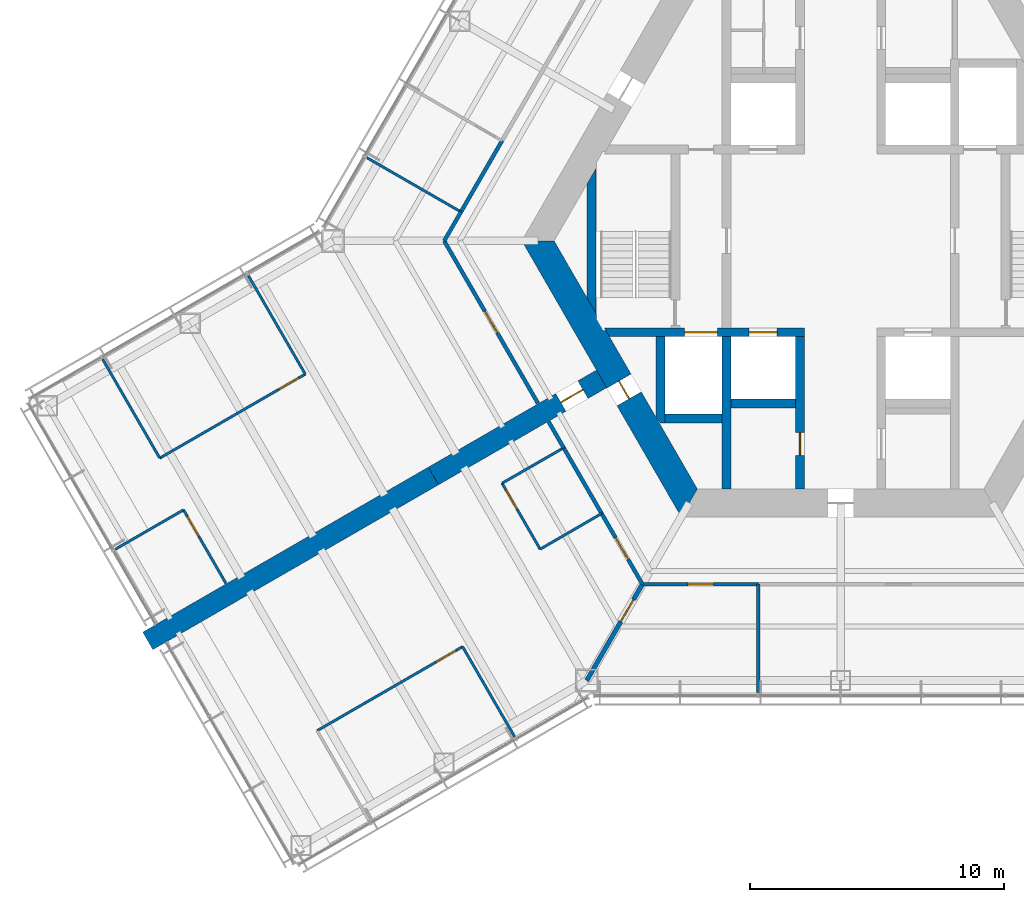
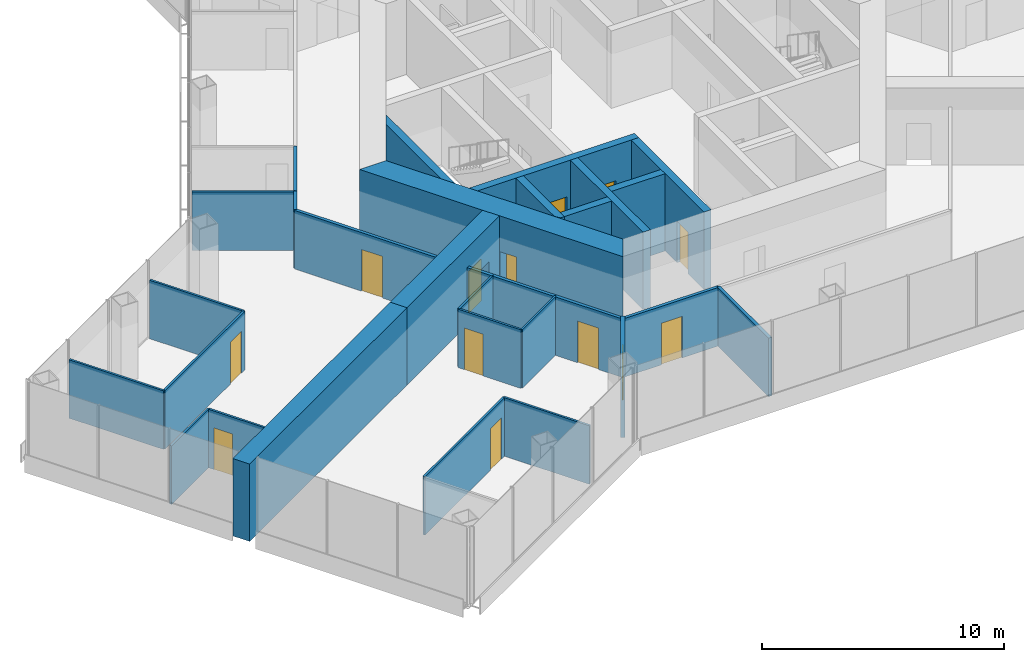
# One storey, part 12 of 18: 30 walls, 13 doors, 13 openings.
"""IFC4 building model written with IfcOpenShell, lengths in metres."""

from ifc_helpers import new_model, si_unit, direction, frame, frame_2d, origin, place, context, subcontext, project, spatial, polyline, rectangle, outline, extrude, material, layer, layer_set, type_object, element, fill, save


model = new_model("IFC4")

# Units and contexts
model_context = context("Model", 3, precision=1e-05, world=origin(), true_north=direction((0.0, 1.0)))
body_context = subcontext(model_context, "Body", "Model", "MODEL_VIEW")
ifc_project = project(units=[si_unit("LENGTHUNIT", "METRE"), si_unit("AREAUNIT", "SQUARE_METRE"), si_unit("VOLUMEUNIT", "CUBIC_METRE"), si_unit("PLANEANGLEUNIT", "RADIAN"), si_unit("MASSUNIT", "GRAM", prefix="KILO")], contexts=[model_context])

# Site, building, storey
site_placement = place(None, origin())
site = spatial("IfcSite", under=ifc_project, at=site_placement, CompositionType="ELEMENT")
building_placement = place(site_placement, origin())
building = spatial("IfcBuilding", under=site, at=building_placement, Name="Kasaneha Research Tower", CompositionType="ELEMENT")
storey_placement = place(building_placement, frame((0.0, 0.0, 72.89990234375)))
storey = spatial("IfcBuildingStorey", under=building, at=storey_placement, Name="L18", CompositionType="ELEMENT", Elevation=72.89990234375)

# Wall, openings, doors
ifc_material_1 = material(Name="Concrete Fc80", Category="concrete")
ifc_layer_1 = layer(ifc_material_1, 0.35009765625)
ifc_layer_set_1 = layer_set([ifc_layer_1], Name="Core internal wall 350 Fc80")
wall_type_1 = type_object("IfcWallType", Name="Core internal wall 350 Fc80", PredefinedType="SHEAR", material=ifc_layer_set_1)
wall_1_placement = place(storey_placement, frame((-9.208740234375, -3.60009765625, 0.0), z_axis=(0.0, 0.0, 1.0), x_axis=(1.0, 0.0, 0.0)))
wall_1 = element("IfcWall", 1, at=wall_1_placement, inside=storey, type_object=wall_type_1, Name="Core wall W2W L18", PredefinedType="SHEAR", context=body_context, shape_type="SweptSolid", body=[
    extrude(outline(polyline([(0.10107421875, -0.175048828125), (3.058837890625, -0.175048828125), (4.35888671875, -0.175048828125), (5.608642578125, -0.175048828125), (6.708740234375, -0.175048828125), (7.78369140625, -0.175048828125), (7.78369140625, 0.175048828125), (6.708740234375, 0.175048828125), (5.608642578125, 0.175048828125), (4.35888671875, 0.175048828125), (3.058837890625, 0.175048828125), (-0.10107421875, 0.175048828125), (0.10107421875, -0.175048828125)])), origin(), (0.0, 0.0, 1.0), 3.900146484375),
])
opening_1_placement = place(wall_1_placement, frame((5.608642578125, 0.0, 0.0)))
opening_1 = element("IfcOpeningElement", 2, at=opening_1_placement, cuts=wall_1, Name="Opening LD-LO2-L18", PredefinedType="OPENING", context=body_context, shape_type="SweptSolid", body=[
    extrude(rectangle(XDim=1.10009765625, YDim=2.10009765625, at=frame_2d((0.550048828125, 1.050048828125))), frame((0.0, 0.18505859375, 0.0), z_axis=(0.0, -1.0, 0.0), x_axis=(1.0, 0.0, 0.0)), (0.0, 0.0, 1.0), 0.3701171875),
])
opening_2_placement = place(wall_1_placement, frame((3.058837890625, 0.0, 0.0)))
opening_2 = element("IfcOpeningElement", 3, at=opening_2_placement, cuts=wall_1, Name="Opening LD-FL2-L18", PredefinedType="OPENING", context=body_context, shape_type="SweptSolid", body=[
    extrude(rectangle(XDim=1.300048828125, YDim=2.10009765625, at=frame_2d((0.64990234375, 1.050048828125))), frame((0.0, 0.18505859375, 0.0), z_axis=(0.0, -1.0, 0.0), x_axis=(1.0, 0.0, 0.0)), (0.0, 0.0, 1.0), 0.3701171875),
])
ifc_material_2 = material(Name="Steel", Category="steel")
door_type_1 = type_object("IfcDoorType", Name="Lift landing door 1100x2100", OperationType="DOUBLE_DOOR_SLIDING", PredefinedType="DOOR", material=ifc_material_2)
door_1_placement = place(opening_1_placement, origin())
door_1 = element("IfcDoor", 4, at=door_1_placement, inside=storey, type_object=door_type_1, Name="Landing door LO2 LD-LO2-L18", OperationType="DOUBLE_DOOR_SLIDING", OverallHeight=2.10009765625, OverallWidth=1.10009765625, PredefinedType="DOOR", context=body_context, shape_type="SweptSolid", body=[
    extrude(rectangle(XDim=1.10009765625, YDim=2.10009765625, at=frame_2d((0.550048828125, 1.050048828125))), frame((0.0, 0.02490234375, 0.0), z_axis=(0.0, -1.0, 0.0), x_axis=(1.0, 0.0, 0.0)), (0.0, 0.0, 1.0), 0.050048828125),
])
fill(opening_1, door_1)
ifc_material_3 = material(Name="Steel", Category="steel")
door_type_2 = type_object("IfcDoorType", Name="Lift landing door 1300x2100", OperationType="DOUBLE_DOOR_SLIDING", PredefinedType="DOOR", material=ifc_material_3)
door_2_placement = place(opening_2_placement, origin())
door_2 = element("IfcDoor", 5, at=door_2_placement, inside=storey, type_object=door_type_2, Name="Landing door FL2 LD-FL2-L18", OperationType="DOUBLE_DOOR_SLIDING", OverallHeight=2.10009765625, OverallWidth=1.300048828125, PredefinedType="DOOR", context=body_context, shape_type="SweptSolid", body=[
    extrude(rectangle(XDim=1.300048828125, YDim=2.10009765625, at=frame_2d((0.64990234375, 1.050048828125))), frame((0.0, 0.02490234375, 0.0), z_axis=(0.0, -1.0, 0.0), x_axis=(1.0, 0.0, 0.0)), (0.0, 0.0, 1.0), 0.050048828125),
])
fill(opening_2, door_2)

# Wall, opening, door
wall_2_placement = place(storey_placement, frame((-1.60009765625, -3.77490234375, 0.0), z_axis=(0.0, 0.0, 1.0), x_axis=(0.0, -1.0, 0.0)))
wall_2 = element("IfcWall", 6, at=wall_2_placement, inside=storey, type_object=wall_type_1, Name="Core wall CSW L18", PredefinedType="SHEAR", context=body_context, shape_type="SweptSolid", body=[
    extrude(rectangle(XDim=6.0, YDim=0.35009765625, at=frame_2d((3.0, 0.0))), origin(), (0.0, 0.0, 1.0), 3.900146484375),
])
opening_3_placement = place(wall_2_placement, frame((3.77490234375, 0.0, 0.0)))
opening_3 = element("IfcOpeningElement", 7, at=opening_3_placement, cuts=wall_2, Name="Opening L18-D16", PredefinedType="OPENING", context=body_context, shape_type="SweptSolid", body=[
    extrude(rectangle(XDim=0.89990234375, YDim=2.10009765625, at=frame_2d((0.449951171875, 1.050048828125))), frame((0.0, 0.18505859375, 0.0), z_axis=(0.0, -1.0, 0.0), x_axis=(1.0, 0.0, 0.0)), (0.0, 0.0, 1.0), 0.3701171875),
])
ifc_material_4 = material(Name="Steel", Category="steel")
door_type_3 = type_object("IfcDoorType", Name="Riser access door FD60 900x2100", OperationType="NOTDEFINED", PredefinedType="DOOR", material=ifc_material_4)
door_3_placement = place(opening_3_placement, origin())
door_3 = element("IfcDoor", 8, at=door_3_placement, inside=storey, type_object=door_type_3, Name="Electrical riser door L18-D16", OperationType="SINGLE_SWING_LEFT", OverallHeight=2.10009765625, OverallWidth=0.89990234375, PredefinedType="DOOR", context=body_context, shape_type="SweptSolid", body=[
    extrude(rectangle(XDim=0.89990234375, YDim=2.10009765625, at=frame_2d((0.449951171875, 1.050048828125))), frame((0.0, 0.02490234375, 0.0), z_axis=(0.0, -1.0, 0.0), x_axis=(1.0, 0.0, 0.0)), (0.0, 0.0, 1.0), 0.050048828125),
])
fill(opening_3, door_3)

# Walls
wall_3_placement = place(storey_placement, frame((-4.5, -3.77490234375, 0.0), z_axis=(0.0, 0.0, 1.0), x_axis=(0.0, -1.0, 0.0)))
element("IfcWall", 9, at=wall_3_placement, inside=storey, type_object=wall_type_1, Name="Core wall SSW L18", PredefinedType="SHEAR", context=body_context, shape_type="SweptSolid", body=[
    extrude(rectangle(XDim=6.0, YDim=0.35009765625, at=frame_2d((3.0, 0.0))), origin(), (0.0, 0.0, 1.0), 3.900146484375),
])
wall_4_placement = place(storey_placement, frame((-4.324951171875, -6.39990234375, 0.0), z_axis=(0.0, 0.0, 1.0), x_axis=(1.0, 0.0, 0.0)))
element("IfcWall", 10, at=wall_4_placement, inside=storey, type_object=wall_type_1, Name="Core wall S1S L18", PredefinedType="SHEAR", context=body_context, shape_type="SweptSolid", body=[
    extrude(rectangle(XDim=2.550048828125, YDim=0.35009765625, at=frame_2d((1.27490234375, 0.0))), origin(), (0.0, 0.0, 1.0), 3.900146484375),
])
wall_5_placement = place(storey_placement, frame((-6.925048828125, -7.0, 0.0), z_axis=(0.0, 0.0, 1.0), x_axis=(1.0, 0.0, 0.0)))
element("IfcWall", 11, at=wall_5_placement, inside=storey, type_object=wall_type_1, Name="Core wall F2S L18", PredefinedType="SHEAR", context=body_context, shape_type="SweptSolid", body=[
    extrude(rectangle(XDim=2.25, YDim=0.35009765625, at=frame_2d((1.125, 0.0))), origin(), (0.0, 0.0, 1.0), 3.900146484375),
])
wall_6_placement = place(storey_placement, frame((-7.10009765625, -3.77490234375, 0.0), z_axis=(0.0, 0.0, 1.0), x_axis=(0.0, -1.0, 0.0)))
element("IfcWall", 12, at=wall_6_placement, inside=storey, type_object=wall_type_1, Name="Core wall F2W L18", PredefinedType="SHEAR", context=body_context, shape_type="SweptSolid", body=[
    extrude(outline(polyline([(0.0, -0.175048828125), (3.174560546875, -0.175048828125), (3.400146484375, 0.0), (3.400146484375, 0.175048828125), (0.0, 0.175048828125), (0.0, -0.175048828125)])), origin(), (0.0, 0.0, 1.0), 3.900146484375),
])
wall_7_placement = place(storey_placement, frame((-9.807861328125, -2.562255859375, 0.0), z_axis=(0.0, 0.0, 1.0), x_axis=(0.0, 1.0, 0.0)))
element("IfcWall", 13, at=wall_7_placement, inside=storey, type_object=wall_type_1, Name="Core wall STW L18", PredefinedType="SHEAR", context=body_context, shape_type="SweptSolid", body=[
    extrude(outline(polyline([(-0.30322265625, -0.175048828125), (5.427734375, -0.175048828125), (4.8212890625, 0.175048828125), (0.30322265625, 0.175048828125), (-0.30322265625, -0.175048828125)])), origin(), (0.0, 0.0, 1.0), 3.900146484375),
])

# Wall, opening, door
ifc_material_5 = material(Name="Concrete Fc80", Category="concrete")
ifc_layer_2 = layer(ifc_material_5, 1.10009765625)
ifc_layer_set_2 = layer_set([ifc_layer_2], Name="Core wall 1100 Fc80")
wall_type_2 = type_object("IfcWallType", Name="Core wall 1100 Fc80", PredefinedType="SHEAR", material=ifc_layer_set_2)
wall_8_placement = place(storey_placement, frame((-11.92236328125, 0.0, 0.0), z_axis=(0.0, 0.0, 1.0), x_axis=(0.500004296715, -0.866022923061, 0.0)))
wall_8 = element("IfcWall", 14, at=wall_8_placement, inside=storey, type_object=wall_type_2, Name="Core wall 210 L18", PredefinedType="SHEAR", context=body_context, shape_type="SweptSolid", body=[
    extrude(outline(polyline([(-0.317626953125, -0.550048828125), (6.381103515625, -0.550048828125), (7.18115234375, -0.550048828125), (12.239990234375, -0.550048828125), (11.604736328125, 0.550048828125), (7.18115234375, 0.550048828125), (6.381103515625, 0.550048828125), (0.317626953125, 0.550048828125), (-0.317626953125, -0.550048828125)])), origin(), (0.0, 0.0, 1.0), 3.900146484375),
])
opening_4_placement = place(wall_8_placement, frame((6.381103515625, 0.0, 0.0)))
opening_4 = element("IfcOpeningElement", 15, at=opening_4_placement, cuts=wall_8, Name="Opening L18-D06", PredefinedType="OPENING", context=body_context, shape_type="SweptSolid", body=[
    extrude(rectangle(XDim=0.800048828125, YDim=2.10009765625, at=frame_2d((0.39990234375, 1.050048828125))), frame((0.0, 0.56005859375, 0.0), z_axis=(0.0, -1.0, 0.0), x_axis=(1.0, 0.0, 0.0)), (0.0, 0.0, 1.0), 1.1201171875),
])
ifc_material_6 = material(Name="Steel", Category="steel")
door_type_4 = type_object("IfcDoorType", Name="Riser access door FD60 800x2100", OperationType="NOTDEFINED", PredefinedType="DOOR", material=ifc_material_6)
door_4_placement = place(opening_4_placement, origin())
door_4 = element("IfcDoor", 16, at=door_4_placement, inside=storey, type_object=door_type_4, Name="Duct riser door L18-D06", OperationType="SINGLE_SWING_RIGHT", OverallHeight=2.10009765625, OverallWidth=0.800048828125, PredefinedType="DOOR", context=body_context, shape_type="SweptSolid", body=[
    extrude(rectangle(XDim=0.800048828125, YDim=2.10009765625, at=frame_2d((0.39990234375, 1.050048828125))), frame((0.0, 0.02490234375, 0.0), z_axis=(0.0, -1.0, 0.0), x_axis=(1.0, 0.0, 0.0)), (0.0, 0.0, 1.0), 0.050048828125),
])
fill(opening_4, door_4)

# Walls
ifc_material_7 = material(Name="Gypsum board on steel studs, one layer each side", Category="steel")
ifc_layer_3 = layer(ifc_material_7, 0.10009765625)
ifc_layer_set_3 = layer_set([ifc_layer_3], Name="Office partition 100")
wall_type_3 = type_object("IfcWallType", Name="Office partition 100", PredefinedType="PARTITIONING", material=ifc_layer_set_3)
wall_9_placement = place(storey_placement, frame((-14.957275390625, 1.143310546875, 0.0), z_axis=(0.0, 0.0, 1.0), x_axis=(-0.86652666665, 0.499130780441, 0.0)))
element("IfcWall", 17, at=wall_9_placement, inside=storey, type_object=wall_type_3, Name="Office partition FBN06 L18", PredefinedType="PARTITIONING", context=body_context, shape_type="SweptSolid", body=[
    extrude(rectangle(XDim=4.275390625, YDim=0.10009765625, at=frame_2d((2.1376953125, 0.0))), origin(), (0.0, 0.0, 1.0), 2.9501953125),
])
wall_10_placement = place(storey_placement, frame((-26.824951171875, -8.55908203125, 0.0), z_axis=(0.0, 0.0, 1.0), x_axis=(-0.500013631625, 0.866017533419, 0.0)))
element("IfcWall", 18, at=wall_10_placement, inside=storey, type_object=wall_type_3, Name="Office partition FBN08 L18", PredefinedType="PARTITIONING", context=body_context, shape_type="SweptSolid", body=[
    extrude(rectangle(XDim=4.499755859375, YDim=0.10009765625, at=frame_2d((2.25, 0.0))), origin(), (0.0, 0.0, 1.0), 2.9501953125),
])
wall_11_placement = place(storey_placement, frame((-23.332275390625, -1.36962890625, 0.0), z_axis=(0.0, 0.0, 1.0), x_axis=(0.499989762656, -0.866031314237, 0.0)))
element("IfcWall", 19, at=wall_11_placement, inside=storey, type_object=wall_type_3, Name="Office partition FBN09 L18", PredefinedType="PARTITIONING", context=body_context, shape_type="SweptSolid", body=[
    extrude(rectangle(XDim=4.47998046875, YDim=0.10009765625, at=frame_2d((2.239990234375, 0.0))), origin(), (0.0, 0.0, 1.0), 2.9501953125),
])

# Wall, opening, door
wall_12_placement = place(storey_placement, frame((-21.09228515625, -5.24951171875, 0.0), z_axis=(0.0, 0.0, 1.0), x_axis=(-0.866037567856, -0.499978930619, 0.0)))
wall_12 = element("IfcWall", 20, at=wall_12_placement, inside=storey, type_object=wall_type_3, Name="Office partition FBN10 L18", PredefinedType="PARTITIONING", context=body_context, shape_type="SweptSolid", body=[
    extrude(rectangle(XDim=6.619384765625, YDim=0.10009765625, at=frame_2d((3.3095703125, 0.0))), origin(), (0.0, 0.0, 1.0), 2.9501953125),
])
opening_5_placement = place(wall_12_placement, frame((0.300048828125, 0.0, 0.0)))
opening_5 = element("IfcOpeningElement", 21, at=opening_5_placement, cuts=wall_12, Name="Opening L18-D38", PredefinedType="OPENING", context=body_context, shape_type="SweptSolid", body=[
    extrude(rectangle(XDim=0.89990234375, YDim=2.10009765625, at=frame_2d((0.449951171875, 1.050048828125))), frame((0.0, 0.06005859375, 0.0), z_axis=(0.0, -1.0, 0.0), x_axis=(1.0, 0.0, 0.0)), (0.0, 0.0, 1.0), 0.1201171875),
])
ifc_material_8 = material(Name="Timber veneer", Category="wood")
door_type_5 = type_object("IfcDoorType", Name="Office door 900x2100", OperationType="SINGLE_SWING_LEFT", PredefinedType="DOOR", material=ifc_material_8)
door_5_placement = place(opening_5_placement, origin())
door_5 = element("IfcDoor", 22, at=door_5_placement, inside=storey, type_object=door_type_5, Name="Meeting room door L18-D38", OperationType="SINGLE_SWING_LEFT", OverallHeight=2.10009765625, OverallWidth=0.89990234375, PredefinedType="DOOR", context=body_context, shape_type="SweptSolid", body=[
    extrude(rectangle(XDim=0.89990234375, YDim=2.10009765625, at=frame_2d((0.449951171875, 1.050048828125))), frame((0.0, 0.02490234375, 0.0), z_axis=(0.0, -1.0, 0.0), x_axis=(1.0, 0.0, 0.0)), (0.0, 0.0, 1.0), 0.050048828125),
])
fill(opening_5, door_5)

# Wall
wall_13_placement = place(storey_placement, frame((-28.57470703125, -12.148193359375, 0.0), z_axis=(0.0, 0.0, 1.0), x_axis=(0.86602952684, 0.49999285859, 0.0)))
element("IfcWall", 23, at=wall_13_placement, inside=storey, type_object=wall_type_3, Name="Office partition FBN12 L18", PredefinedType="PARTITIONING", context=body_context, shape_type="SweptSolid", body=[
    extrude(rectangle(XDim=3.10009765625, YDim=0.10009765625, at=frame_2d((1.550048828125, 0.0))), origin(), (0.0, 0.0, 1.0), 2.9501953125),
])

# Wall, opening, door
wall_14_placement = place(storey_placement, frame((-25.889892578125, -10.59814453125, 0.0), z_axis=(0.0, 0.0, 1.0), x_axis=(0.499928740635, -0.866066541489, 0.0)))
wall_14 = element("IfcWall", 24, at=wall_14_placement, inside=storey, type_object=wall_type_3, Name="Office partition FBN13 L18", PredefinedType="PARTITIONING", context=body_context, shape_type="SweptSolid", body=[
    extrude(rectangle(XDim=3.3466796875, YDim=0.10009765625, at=frame_2d((1.67333984375, 0.0))), origin(), (0.0, 0.0, 1.0), 2.9501953125),
])
opening_6_placement = place(wall_14_placement, frame((0.300048828125, 0.0, 0.0)))
opening_6 = element("IfcOpeningElement", 25, at=opening_6_placement, cuts=wall_14, Name="Opening L18-D40", PredefinedType="OPENING", context=body_context, shape_type="SweptSolid", body=[
    extrude(rectangle(XDim=0.89990234375, YDim=2.10009765625, at=frame_2d((0.449951171875, 1.050048828125))), frame((0.0, 0.06005859375, 0.0), z_axis=(0.0, -1.0, 0.0), x_axis=(1.0, 0.0, 0.0)), (0.0, 0.0, 1.0), 0.1201171875),
])
door_6_placement = place(opening_6_placement, origin())
door_6 = element("IfcDoor", 26, at=door_6_placement, inside=storey, type_object=door_type_5, Name="Phone room door L18-D40", OperationType="SINGLE_SWING_LEFT", OverallHeight=2.10009765625, OverallWidth=0.89990234375, PredefinedType="DOOR", context=body_context, shape_type="SweptSolid", body=[
    extrude(rectangle(XDim=0.89990234375, YDim=2.10009765625, at=frame_2d((0.449951171875, 1.050048828125))), frame((0.0, 0.02490234375, 0.0), z_axis=(0.0, -1.0, 0.0), x_axis=(1.0, 0.0, 0.0)), (0.0, 0.0, 1.0), 0.050048828125),
])
fill(opening_6, door_6)

# Wall
wall_15_placement = place(storey_placement, frame((-13.337890625, -9.548095703125, 0.0), z_axis=(0.0, 0.0, 1.0), x_axis=(0.866833758708, 0.498597267105, 0.0)))
element("IfcWall", 27, at=wall_15_placement, inside=storey, type_object=wall_type_3, Name="Office partition FBS04 L18", PredefinedType="PARTITIONING", context=body_context, shape_type="SweptSolid", body=[
    extrude(rectangle(XDim=2.7998046875, YDim=0.10009765625, at=frame_2d((1.39990234375, 0.0))), origin(), (0.0, 0.0, 1.0), 2.9501953125),
])

# Wall, opening, door
wall_16_placement = place(storey_placement, frame((-11.837890625, -12.146240234375, 0.0), z_axis=(0.0, 0.0, 1.0), x_axis=(-0.499990139034, 0.866031096941, 0.0)))
wall_16 = element("IfcWall", 28, at=wall_16_placement, inside=storey, type_object=wall_type_3, Name="Office partition FBS05 L18", PredefinedType="PARTITIONING", context=body_context, shape_type="SweptSolid", body=[
    extrude(rectangle(XDim=3.0, YDim=0.10009765625, at=frame_2d((1.5, 0.0))), origin(), (0.0, 0.0, 1.0), 2.9501953125),
])
opening_7_placement = place(wall_16_placement, frame((1.800048828125, 0.0, 0.0)))
opening_7 = element("IfcOpeningElement", 29, at=opening_7_placement, cuts=wall_16, Name="Opening L18-D42", PredefinedType="OPENING", context=body_context, shape_type="SweptSolid", body=[
    extrude(rectangle(XDim=0.89990234375, YDim=2.10009765625, at=frame_2d((0.449951171875, 1.050048828125))), frame((0.0, 0.06005859375, 0.0), z_axis=(0.0, -1.0, 0.0), x_axis=(1.0, 0.0, 0.0)), (0.0, 0.0, 1.0), 0.1201171875),
])
door_7_placement = place(opening_7_placement, origin())
door_7 = element("IfcDoor", 30, at=door_7_placement, inside=storey, type_object=door_type_5, Name="Pantry door L18-D42", OperationType="SINGLE_SWING_RIGHT", OverallHeight=2.10009765625, OverallWidth=0.89990234375, PredefinedType="DOOR", context=body_context, shape_type="SweptSolid", body=[
    extrude(rectangle(XDim=0.89990234375, YDim=2.10009765625, at=frame_2d((0.449951171875, 1.050048828125))), frame((0.0, 0.02490234375, 0.0), z_axis=(0.0, -1.0, 0.0), x_axis=(1.0, 0.0, 0.0)), (0.0, 0.0, 1.0), 0.050048828125),
])
fill(opening_7, door_7)

# Wall
wall_17_placement = place(storey_placement, frame((-9.415283203125, -10.7421875, 0.0), z_axis=(0.0, 0.0, 1.0), x_axis=(-0.865195372903, -0.501434907746, 0.0)))
element("IfcWall", 31, at=wall_17_placement, inside=storey, type_object=wall_type_3, Name="Office partition FBS06 L18", PredefinedType="PARTITIONING", context=body_context, shape_type="SweptSolid", body=[
    extrude(rectangle(XDim=2.800048828125, YDim=0.10009765625, at=frame_2d((1.39990234375, 0.0))), origin(), (0.0, 0.0, 1.0), 2.9501953125),
])

# Wall, opening, door
wall_18_placement = place(storey_placement, frame((-20.625, -19.2978515625, 0.0), z_axis=(0.0, 0.0, 1.0), x_axis=(0.866030817826, 0.499990622488, 0.0)))
wall_18 = element("IfcWall", 32, at=wall_18_placement, inside=storey, type_object=wall_type_3, Name="Office partition FBS07 L18", PredefinedType="PARTITIONING", context=body_context, shape_type="SweptSolid", body=[
    extrude(rectangle(XDim=6.619873046875, YDim=0.10009765625, at=frame_2d((3.31005859375, 0.0))), origin(), (0.0, 0.0, 1.0), 2.9501953125),
])
opening_8_placement = place(wall_18_placement, frame((5.419677734375, 0.0, 0.0)))
opening_8 = element("IfcOpeningElement", 33, at=opening_8_placement, cuts=wall_18, Name="Opening L18-D43", PredefinedType="OPENING", context=body_context, shape_type="SweptSolid", body=[
    extrude(rectangle(XDim=0.89990234375, YDim=2.10009765625, at=frame_2d((0.449951171875, 1.050048828125))), frame((0.0, 0.06005859375, 0.0), z_axis=(0.0, -1.0, 0.0), x_axis=(1.0, 0.0, 0.0)), (0.0, 0.0, 1.0), 0.1201171875),
])
door_8_placement = place(opening_8_placement, origin())
door_8 = element("IfcDoor", 34, at=door_8_placement, inside=storey, type_object=door_type_5, Name="Meeting room door L18-D43", OperationType="SINGLE_SWING_RIGHT", OverallHeight=2.10009765625, OverallWidth=0.89990234375, PredefinedType="DOOR", context=body_context, shape_type="SweptSolid", body=[
    extrude(rectangle(XDim=0.89990234375, YDim=2.10009765625, at=frame_2d((0.449951171875, 1.050048828125))), frame((0.0, 0.02490234375, 0.0), z_axis=(0.0, -1.0, 0.0), x_axis=(1.0, 0.0, 0.0)), (0.0, 0.0, 1.0), 0.050048828125),
])
fill(opening_8, door_8)

# Wall
wall_19_placement = place(storey_placement, frame((-14.89208984375, -15.988037109375, 0.0), z_axis=(0.0, 0.0, 1.0), x_axis=(0.499956128963, -0.866050731258, 0.0)))
element("IfcWall", 35, at=wall_19_placement, inside=storey, type_object=wall_type_3, Name="Office partition FBS09 L18", PredefinedType="PARTITIONING", context=body_context, shape_type="SweptSolid", body=[
    extrude(rectangle(XDim=4.099853515625, YDim=0.10009765625, at=frame_2d((2.0498046875, 0.0))), origin(), (0.0, 0.0, 1.0), 2.9501953125),
])

# Wall, opening, door
ifc_material_9 = material(Name="Concrete Fc80", Category="concrete")
ifc_layer_4 = layer(ifc_material_9, 0.800048828125)
ifc_layer_set_4 = layer_set([ifc_layer_4], Name="Spine wall 800 Fc80")
wall_type_4 = type_object("IfcWallType", Name="Spine wall 800 Fc80", PredefinedType="SHEAR", material=ifc_layer_set_4)
wall_20_placement = place(storey_placement, frame((-9.41796875, -5.4375, 0.0), z_axis=(0.0, 0.0, 1.0), x_axis=(-0.866029782078, -0.499992416496, 0.0)))
wall_20 = element("IfcWall", 36, at=wall_20_placement, inside=storey, type_object=wall_type_4, Name="Spine wall B L18", PredefinedType="SHEAR", context=body_context, shape_type="SweptSolid", body=[
    extrude(rectangle(XDim=7.6455078125, YDim=0.800048828125, at=frame_2d((3.82275390625, 0.0))), origin(), (0.0, 0.0, 1.0), 3.900146484375),
])
opening_9_placement = place(wall_20_placement, frame((0.85009765625, 0.0, 0.0)))
opening_9 = element("IfcOpeningElement", 37, at=opening_9_placement, cuts=wall_20, Name="Opening L18-D18", PredefinedType="OPENING", context=body_context, shape_type="SweptSolid", body=[
    extrude(rectangle(XDim=1.0, YDim=2.10009765625, at=frame_2d((0.5, 1.050048828125))), frame((0.0, 0.41015625, 0.0), z_axis=(0.0, -1.0, 0.0), x_axis=(1.0, 0.0, 0.0)), (0.0, 0.0, 1.0), 0.820068359375),
])
ifc_material_10 = material(Name="Steel", Category="steel")
door_type_6 = type_object("IfcDoorType", Name="Specified fire door FD60 1000x2100", OperationType="NOTDEFINED", PredefinedType="DOOR", material=ifc_material_10)
door_9_placement = place(opening_9_placement, origin())
door_9 = element("IfcDoor", 38, at=door_9_placement, inside=storey, type_object=door_type_6, Name="Spine doorway B L18-D18", OperationType="SINGLE_SWING_LEFT", OverallHeight=2.10009765625, OverallWidth=1.0, PredefinedType="DOOR", context=body_context, shape_type="SweptSolid", body=[
    extrude(rectangle(XDim=1.0, YDim=2.10009765625, at=frame_2d((0.5, 1.050048828125))), frame((0.0, 0.02490234375, 0.0), z_axis=(0.0, -1.0, 0.0), x_axis=(1.0, 0.0, 0.0)), (0.0, 0.0, 1.0), 0.050048828125),
])
fill(opening_9, door_9)

# Walls
wall_21_placement = place(storey_placement, frame((-16.039306640625, -9.26025390625, 0.0), z_axis=(0.0, 0.0, 1.0), x_axis=(-0.866024837091, -0.50000098154, 0.0)))
element("IfcWall", 39, at=wall_21_placement, inside=storey, type_object=wall_type_4, Name="Spine wall B wing L18", PredefinedType="SHEAR", context=body_context, shape_type="SweptSolid", body=[
    extrude(rectangle(XDim=13.0, YDim=0.800048828125, at=frame_2d((6.5, 0.0))), origin(), (0.0, 0.0, 1.0), 3.900146484375),
])
ifc_material_11 = material(Name="Gypsum board on steel studs, two layers each side", Category="steel")
ifc_layer_5 = layer(ifc_material_11, 0.14990234375)
ifc_layer_set_5 = layer_set([ifc_layer_5], Name="Suite partition 150")
wall_type_5 = type_object("IfcWallType", Name="Suite partition 150", PredefinedType="PARTITIONING", material=ifc_layer_set_5)
wall_22_placement = place(storey_placement, frame((-14.9619140625, 1.13525390625, 0.0), z_axis=(0.0, 0.0, 1.0), x_axis=(0.500001520505, 0.866024525919, 0.0)))
element("IfcWall", 40, at=wall_22_placement, inside=storey, type_object=wall_type_5, Name="Suite partition FBN01 L18", PredefinedType="PARTITIONING", context=body_context, shape_type="SweptSolid", body=[
    extrude(rectangle(XDim=3.25634765625, YDim=0.14990234375, at=frame_2d((1.628173828125, 0.0))), origin(), (0.0, 0.0, 1.0), 2.9501953125),
])
wall_23_placement = place(storey_placement, frame((-15.6171875, 0.0, 0.0), z_axis=(0.0, 0.0, 1.0), x_axis=(0.499898558967, 0.866083962871, 0.0)))
element("IfcWall", 41, at=wall_23_placement, inside=storey, type_object=wall_type_5, Name="Suite partition FBN03 L18", PredefinedType="PARTITIONING", context=body_context, shape_type="SweptSolid", body=[
    extrude(rectangle(XDim=1.320068359375, YDim=0.14990234375, at=frame_2d((0.66015625, 0.0))), origin(), (0.0, 0.0, 1.0), 2.9501953125),
])

# Wall, opening, door
wall_24_placement = place(storey_placement, frame((-11.923095703125, -6.398681640625, 0.0), z_axis=(0.0, 0.0, 1.0), x_axis=(-0.499980837837, 0.866036466782, 0.0)))
wall_24 = element("IfcWall", 42, at=wall_24_placement, inside=storey, type_object=wall_type_5, Name="Suite partition FBN04 L18", PredefinedType="PARTITIONING", context=body_context, shape_type="SweptSolid", body=[
    extrude(rectangle(XDim=7.388427734375, YDim=0.14990234375, at=frame_2d((3.6943359375, 0.0))), origin(), (0.0, 0.0, 1.0), 2.9501953125),
])
opening_10_placement = place(wall_24_placement, frame((3.1943359375, 0.0, 0.0)))
opening_10 = element("IfcOpeningElement", 43, at=opening_10_placement, cuts=wall_24, Name="Opening L18-D35", PredefinedType="OPENING", context=body_context, shape_type="SweptSolid", body=[
    extrude(rectangle(XDim=1.0, YDim=2.10009765625, at=frame_2d((0.5, 1.050048828125))), frame((0.0, 0.0849609375, 0.0), z_axis=(0.0, -1.0, 0.0), x_axis=(1.0, 0.0, 0.0)), (0.0, 0.0, 1.0), 0.169921875),
])
ifc_material_12 = material(Name="Steel", Category="steel")
door_type_7 = type_object("IfcDoorType", Name="Suite entrance door FD60 1000x2100", OperationType="NOTDEFINED", PredefinedType="DOOR", material=ifc_material_12)
door_10_placement = place(opening_10_placement, origin())
door_10 = element("IfcDoor", 44, at=door_10_placement, inside=storey, type_object=door_type_7, Name="Suite entrance door L18-D35", OperationType="SINGLE_SWING_RIGHT", OverallHeight=2.10009765625, OverallWidth=1.0, PredefinedType="DOOR", context=body_context, shape_type="SweptSolid", body=[
    extrude(rectangle(XDim=1.0, YDim=2.10009765625, at=frame_2d((0.5, 1.050048828125))), frame((0.0, 0.02490234375, 0.0), z_axis=(0.0, -1.0, 0.0), x_axis=(1.0, 0.0, 0.0)), (0.0, 0.0, 1.0), 0.050048828125),
])
fill(opening_10, door_10)

# Walls
wall_25_placement = place(storey_placement, frame((-9.410400390625, -10.75048828125, 0.0), z_axis=(0.0, 0.0, 1.0), x_axis=(-0.500038395149, 0.8660032352, 0.0)))
element("IfcWall", 45, at=wall_25_placement, inside=storey, type_object=wall_type_5, Name="Suite partition FBS01 L18", PredefinedType="PARTITIONING", context=body_context, shape_type="SweptSolid", body=[
    extrude(rectangle(XDim=3.010009765625, YDim=0.14990234375, at=frame_2d((1.5048828125, 0.0))), origin(), (0.0, 0.0, 1.0), 2.9501953125),
])
wall_26_placement = place(storey_placement, frame((-10.910888671875, -8.152099609375, 0.0), z_axis=(0.0, 0.0, 1.0), x_axis=(-0.499841408252, 0.866116947413, 0.0)))
element("IfcWall", 46, at=wall_26_placement, inside=storey, type_object=wall_type_5, Name="Suite partition FBS02 L18", PredefinedType="PARTITIONING", context=body_context, shape_type="SweptSolid", body=[
    extrude(rectangle(XDim=1.1845703125, YDim=0.14990234375, at=frame_2d((0.59228515625, 0.0))), origin(), (0.0, 0.0, 1.0), 2.9501953125),
])

# Wall, opening, door
wall_27_placement = place(storey_placement, frame((-7.8203125, -13.5048828125, 0.0), z_axis=(0.0, 0.0, 1.0), x_axis=(-0.499983030129, 0.866035201123, 0.0)))
wall_27 = element("IfcWall", 47, at=wall_27_placement, inside=storey, type_object=wall_type_5, Name="Suite partition FBS03 L18", PredefinedType="PARTITIONING", context=body_context, shape_type="SweptSolid", body=[
    extrude(rectangle(XDim=3.18994140625, YDim=0.14990234375, at=frame_2d((1.594970703125, 0.0))), origin(), (0.0, 0.0, 1.0), 2.9501953125),
])
opening_11_placement = place(wall_27_placement, frame((1.094970703125, 0.0, 0.0)))
opening_11 = element("IfcOpeningElement", 48, at=opening_11_placement, cuts=wall_27, Name="Opening L18-D41", PredefinedType="OPENING", context=body_context, shape_type="SweptSolid", body=[
    extrude(rectangle(XDim=1.0, YDim=2.10009765625, at=frame_2d((0.5, 1.050048828125))), frame((0.0, 0.0849609375, 0.0), z_axis=(0.0, -1.0, 0.0), x_axis=(1.0, 0.0, 0.0)), (0.0, 0.0, 1.0), 0.169921875),
])
door_11_placement = place(opening_11_placement, origin())
door_11 = element("IfcDoor", 49, at=door_11_placement, inside=storey, type_object=door_type_7, Name="Suite entrance door L18-D41", OperationType="SINGLE_SWING_RIGHT", OverallHeight=2.10009765625, OverallWidth=1.0, PredefinedType="DOOR", context=body_context, shape_type="SweptSolid", body=[
    extrude(rectangle(XDim=1.0, YDim=2.10009765625, at=frame_2d((0.5, 1.050048828125))), frame((0.0, 0.02490234375, 0.0), z_axis=(0.0, -1.0, 0.0), x_axis=(1.0, 0.0, 0.0)), (0.0, 0.0, 1.0), 0.050048828125),
])
fill(opening_11, door_11)

wall_28_placement = place(storey_placement, frame((-3.241455078125, -13.52490234375, 0.0), z_axis=(0.0, 0.0, 1.0), x_axis=(-1.0, 0.0, 0.0)))
wall_28 = element("IfcWall", 50, at=wall_28_placement, inside=storey, type_object=wall_type_5, Name="Suite partition FCS03 L18", PredefinedType="PARTITIONING", context=body_context, shape_type="SweptSolid", body=[
    extrude(rectangle(XDim=4.544189453125, YDim=0.14990234375, at=frame_2d((2.27197265625, 0.0))), origin(), (0.0, 0.0, 1.0), 2.9501953125),
])
opening_12_placement = place(wall_28_placement, frame((1.772216796875, 0.0, 0.0)))
opening_12 = element("IfcOpeningElement", 51, at=opening_12_placement, cuts=wall_28, Name="Opening L18-D47", PredefinedType="OPENING", context=body_context, shape_type="SweptSolid", body=[
    extrude(rectangle(XDim=1.0, YDim=2.10009765625, at=frame_2d((0.5, 1.050048828125))), frame((0.0, 0.0849609375, 0.0), z_axis=(0.0, -1.0, 0.0), x_axis=(1.0, 0.0, 0.0)), (0.0, 0.0, 1.0), 0.169921875),
])
door_12_placement = place(opening_12_placement, origin())
door_12 = element("IfcDoor", 52, at=door_12_placement, inside=storey, type_object=door_type_7, Name="Suite entrance door L18-D47", OperationType="SINGLE_SWING_LEFT", OverallHeight=2.10009765625, OverallWidth=1.0, PredefinedType="DOOR", context=body_context, shape_type="SweptSolid", body=[
    extrude(rectangle(XDim=1.0, YDim=2.10009765625, at=frame_2d((0.5, 1.050048828125))), frame((0.0, 0.02490234375, 0.0), z_axis=(0.0, -1.0, 0.0), x_axis=(1.0, 0.0, 0.0)), (0.0, 0.0, 1.0), 0.050048828125),
])
fill(opening_12, door_12)

# Wall
wall_29_placement = place(storey_placement, frame((-3.246337890625, -17.800537109375, 0.0), z_axis=(0.0, 0.0, 1.0), x_axis=(0.001142138482, 0.99999934776, 0.0)))
element("IfcWall", 53, at=wall_29_placement, inside=storey, type_object=wall_type_5, Name="Suite partition FCS07 L18", PredefinedType="PARTITIONING", context=body_context, shape_type="SweptSolid", body=[
    extrude(rectangle(XDim=4.275146484375, YDim=0.14990234375, at=frame_2d((2.1376953125, 0.0))), origin(), (0.0, 0.0, 1.0), 2.9501953125),
])

# Wall, opening, door
ifc_material_13 = material(Name="Gypsum board on steel studs, two layers each side", Category="steel")
ifc_layer_6 = layer(ifc_material_13, 0.175048828125)
ifc_layer_set_6 = layer_set([ifc_layer_6], Name="Tenancy fire partition 175")
wall_type_6 = type_object("IfcWallType", Name="Tenancy fire partition 175", PredefinedType="PARTITIONING", material=ifc_layer_set_6)
wall_30_placement = place(storey_placement, frame((-7.80859375, -13.52490234375, 0.0), z_axis=(0.0, 0.0, 1.0), x_axis=(-0.499997299682, -0.866026962808, 0.0)))
wall_30 = element("IfcWall", 54, at=wall_30_placement, inside=storey, type_object=wall_type_6, Name="Tenancy fire partition T240 L18", PredefinedType="PARTITIONING", context=body_context, shape_type="SweptSolid", body=[
    extrude(rectangle(XDim=4.3828125, YDim=0.175048828125, at=frame_2d((2.19140625, 0.0))), origin(), (0.0, 0.0, 1.0), 3.050048828125),
])
opening_13_placement = place(wall_30_placement, frame((0.699951171875, 0.0, 0.0)))
opening_13 = element("IfcOpeningElement", 55, at=opening_13_placement, cuts=wall_30, Name="Opening L18-D24", PredefinedType="OPENING", context=body_context, shape_type="SweptSolid", body=[
    extrude(rectangle(XDim=1.0, YDim=2.10009765625, at=frame_2d((0.5, 1.050048828125))), frame((0.0, 0.09765625, 0.0), z_axis=(0.0, -1.0, 0.0), x_axis=(1.0, 0.0, 0.0)), (0.0, 0.0, 1.0), 0.195068359375),
])
door_13_placement = place(opening_13_placement, origin())
door_13 = element("IfcDoor", 56, at=door_13_placement, inside=storey, type_object=door_type_7, Name="Connecting door L18-D24", OperationType="SINGLE_SWING_LEFT", OverallHeight=2.10009765625, OverallWidth=1.0, PredefinedType="DOOR", context=body_context, shape_type="SweptSolid", body=[
    extrude(rectangle(XDim=1.0, YDim=2.10009765625, at=frame_2d((0.5, 1.050048828125))), frame((0.0, 0.02490234375, 0.0), z_axis=(0.0, -1.0, 0.0), x_axis=(1.0, 0.0, 0.0)), (0.0, 0.0, 1.0), 0.050048828125),
])
fill(opening_13, door_13)

save(model, "model.ifc")
